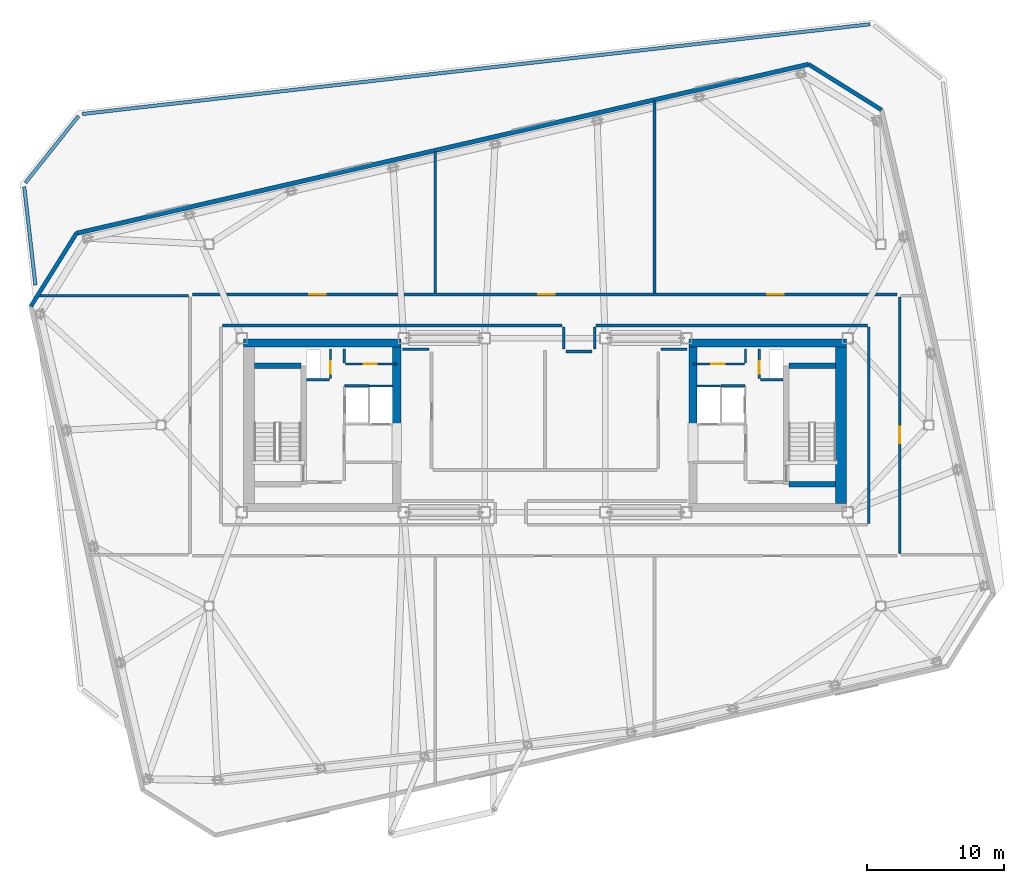
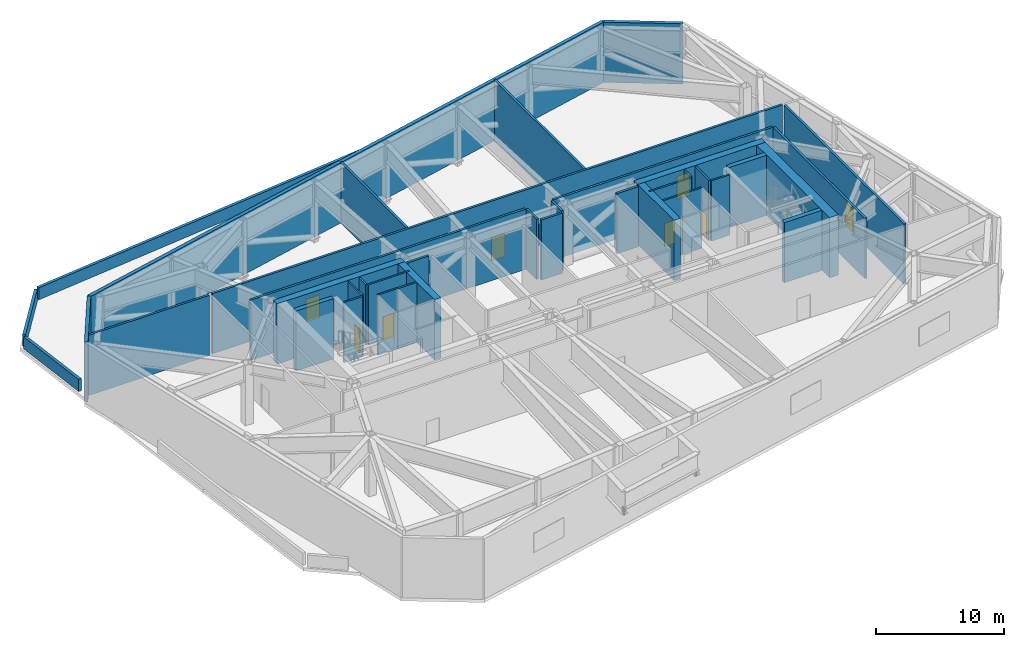
# One storey, part 8 of 15: 39 walls, 8 doors, 8 openings.
"""IFC4 building model written with IfcOpenShell, lengths in metres."""

from ifc_helpers import new_model, si_unit, direction, frame, frame_2d, origin, place, context, subcontext, project, spatial, rectangle, extrude, material, layer, layer_set, type_object, element, fill, save


model = new_model("IFC4")

# Units and contexts
model_context = context("Model", 3, precision=1e-05, world=origin(), true_north=direction((0.0, 1.0)))
body_context = subcontext(model_context, "Body", "Model", "MODEL_VIEW")
ifc_project = project(units=[si_unit("LENGTHUNIT", "METRE"), si_unit("AREAUNIT", "SQUARE_METRE"), si_unit("VOLUMEUNIT", "CUBIC_METRE"), si_unit("PLANEANGLEUNIT", "RADIAN"), si_unit("MASSUNIT", "GRAM", prefix="KILO")], contexts=[model_context])

# Site, building, storey
site_placement = place(None, origin())
site = spatial("IfcSite", under=ifc_project, at=site_placement, CompositionType="ELEMENT")
building_placement = place(site_placement, origin())
building = spatial("IfcBuilding", under=site, at=building_placement, Name="Tavrogorsk Clinical Tower", CompositionType="ELEMENT")
storey_placement = place(building_placement, frame((0.0, 0.0, 271.0)))
storey = spatial("IfcBuildingStorey", under=building, at=storey_placement, Name="L63", CompositionType="ELEMENT", Elevation=271.0)

# Wall, openings, doors
ifc_material_1 = material(Name="Concrete B60", Category="concrete")
ifc_layer_1 = layer(ifc_material_1, 0.199951171875)
ifc_layer_set_1 = layer_set([ifc_layer_1], Name="Concrete B60")
wall_type_1 = type_object("IfcWallType", Name="CoreFireWall_200", PredefinedType="SOLIDWALL", material=ifc_layer_set_1)
wall_1_placement = place(storey_placement, frame((-25.695068359375, 9.530029296875, 0.0), z_axis=(0.0, 0.0, 1.0), x_axis=(1.0, 0.0, 0.0)))
wall_1 = element("IfcWall", 1, at=wall_1_placement, inside=storey, type_object=wall_type_1, Name="L63 Refuge Corridor Fire Wall 02", PredefinedType="SOLIDWALL", context=body_context, shape_type="SweptSolid", body=[
    extrude(rectangle(XDim=51.39013671875, YDim=0.199951171875, at=frame_2d((25.695068359375, 0.0))), origin(), (0.0, 0.0, 1.0), 5.739990234375),
])
opening_1_placement = place(wall_1_placement, frame((25.199951171875, 0.0, 0.0)))
opening_1 = element("IfcOpeningElement", 2, at=opening_1_placement, cuts=wall_1, Name="Opening FD-01", PredefinedType="OPENING", context=body_context, shape_type="SweptSolid", body=[
    extrude(rectangle(XDim=1.199951171875, YDim=2.199951171875, at=frame_2d((0.60009765625, 1.10009765625))), frame((0.0, 0.10986328125, 0.0), z_axis=(0.0, -1.0, 0.0), x_axis=(1.0, 0.0, 0.0)), (0.0, 0.0, 1.0), 0.219970703125),
])
opening_2_placement = place(wall_1_placement, frame((8.494140625, 0.0, 0.0)))
opening_2 = element("IfcOpeningElement", 3, at=opening_2_placement, cuts=wall_1, Name="Opening FD-01", PredefinedType="OPENING", context=body_context, shape_type="SweptSolid", body=[
    extrude(rectangle(XDim=1.199951171875, YDim=2.199951171875, at=frame_2d((0.60009765625, 1.10009765625))), frame((0.0, 0.10986328125, 0.0), z_axis=(0.0, -1.0, 0.0), x_axis=(1.0, 0.0, 0.0)), (0.0, 0.0, 1.0), 0.219970703125),
])
opening_3_placement = place(wall_1_placement, frame((41.906005859375, 0.0, 0.0)))
opening_3 = element("IfcOpeningElement", 4, at=opening_3_placement, cuts=wall_1, Name="Opening FD-01", PredefinedType="OPENING", context=body_context, shape_type="SweptSolid", body=[
    extrude(rectangle(XDim=1.199951171875, YDim=2.199951171875, at=frame_2d((0.60009765625, 1.10009765625))), frame((0.0, 0.10986328125, 0.0), z_axis=(0.0, -1.0, 0.0), x_axis=(1.0, 0.0, 0.0)), (0.0, 0.0, 1.0), 0.219970703125),
])
ifc_material_2 = material(Name="Galvanised steel fire-rated door assembly", Category="steel")
door_type_1 = type_object("IfcDoorType", Name="FireDoor_FD01_1200", OperationType="NOTDEFINED", PredefinedType="DOOR", material=ifc_material_2)
door_1_placement = place(opening_1_placement, origin())
door_1 = element("IfcDoor", 5, at=door_1_placement, inside=storey, type_object=door_type_1, Name="L63 Assisted Bariatric Evacuation Refuge North Fire Door", OperationType="SINGLE_SWING_RIGHT", OverallHeight=2.199951171875, OverallWidth=1.199951171875, PredefinedType="DOOR", context=body_context, shape_type="SweptSolid", body=[
    extrude(rectangle(XDim=1.199951171875, YDim=2.199951171875, at=frame_2d((0.60009765625, 1.10009765625))), frame((0.0, 0.02490234375, 0.0), z_axis=(0.0, -1.0, 0.0), x_axis=(1.0, 0.0, 0.0)), (0.0, 0.0, 1.0), 0.050048828125),
])
fill(opening_1, door_1)
door_2_placement = place(opening_2_placement, origin())
door_2 = element("IfcDoor", 6, at=door_2_placement, inside=storey, type_object=door_type_1, Name="L63 HEPA Isolation AHU Plant West Fire Door", OperationType="SINGLE_SWING_LEFT", OverallHeight=2.199951171875, OverallWidth=1.199951171875, PredefinedType="DOOR", context=body_context, shape_type="SweptSolid", body=[
    extrude(rectangle(XDim=1.199951171875, YDim=2.199951171875, at=frame_2d((0.60009765625, 1.10009765625))), frame((0.0, 0.02490234375, 0.0), z_axis=(0.0, -1.0, 0.0), x_axis=(1.0, 0.0, 0.0)), (0.0, 0.0, 1.0), 0.050048828125),
])
fill(opening_2, door_2)
door_3_placement = place(opening_3_placement, origin())
door_3 = element("IfcDoor", 7, at=door_3_placement, inside=storey, type_object=door_type_1, Name="L63 HEPA Isolation AHU Plant East Fire Door", OperationType="SINGLE_SWING_RIGHT", OverallHeight=2.199951171875, OverallWidth=1.199951171875, PredefinedType="DOOR", context=body_context, shape_type="SweptSolid", body=[
    extrude(rectangle(XDim=1.199951171875, YDim=2.199951171875, at=frame_2d((0.60009765625, 1.10009765625))), frame((0.0, 0.02490234375, 0.0), z_axis=(0.0, -1.0, 0.0), x_axis=(1.0, 0.0, 0.0)), (0.0, 0.0, 1.0), 0.050048828125),
])
fill(opening_3, door_3)

# Wall, opening, door
wall_2_placement = place(storey_placement, frame((25.8798828125, 9.344970703125, 0.0), z_axis=(0.0, 0.0, 1.0), x_axis=(0.0, -1.0, 0.0)))
wall_2 = element("IfcWall", 8, at=wall_2_placement, inside=storey, type_object=wall_type_1, Name="L63 Refuge Corridor Fire Wall 03", PredefinedType="SOLIDWALL", context=body_context, shape_type="SweptSolid", body=[
    extrude(rectangle(XDim=18.68994140625, YDim=0.199951171875, at=frame_2d((9.344970703125, 0.0))), origin(), (0.0, 0.0, 1.0), 5.739990234375),
])
opening_4_placement = place(wall_2_placement, frame((9.449951171875, 0.0, 0.0)))
opening_4 = element("IfcOpeningElement", 9, at=opening_4_placement, cuts=wall_2, Name="Opening FD-01", PredefinedType="OPENING", context=body_context, shape_type="SweptSolid", body=[
    extrude(rectangle(XDim=1.199951171875, YDim=2.199951171875, at=frame_2d((0.60009765625, 1.10009765625))), frame((0.0, 0.10986328125, 0.0), z_axis=(0.0, -1.0, 0.0), x_axis=(1.0, 0.0, 0.0)), (0.0, 0.0, 1.0), 0.219970703125),
])
door_4_placement = place(opening_4_placement, origin())
door_4 = element("IfcDoor", 10, at=door_4_placement, inside=storey, type_object=door_type_1, Name="L63 Smoke Extract & Damper Plenum East Fire Door", OperationType="SINGLE_SWING_RIGHT", OverallHeight=2.199951171875, OverallWidth=1.199951171875, PredefinedType="DOOR", context=body_context, shape_type="SweptSolid", body=[
    extrude(rectangle(XDim=1.199951171875, YDim=2.199951171875, at=frame_2d((0.60009765625, 1.10009765625))), frame((0.0, 0.02490234375, 0.0), z_axis=(0.0, -1.0, 0.0), x_axis=(1.0, 0.0, 0.0)), (0.0, 0.0, 1.0), 0.050048828125),
])
fill(opening_4, door_4)

# Walls
for number, where, z_axis, x_axis, name in (
    (11, (-10.3798828125, 5.530029296875, 0.0), (0.0, 0.0, 1.0), (1.0, 0.0, 0.0), "L63 Refuge Corridor Fire Wall 07"),
    (12, (8.455078125, 5.530029296875, 0.0), (0.0, 0.0, 1.0), (1.0, 0.0, 0.0), "L63 Refuge Corridor Fire Wall 11"),
):
    element("IfcWall", number, at=place(storey_placement, frame(where, z_axis=z_axis, x_axis=x_axis)), inside=storey, type_object=wall_type_1, Name=name, PredefinedType="SOLIDWALL", context=body_context, shape_type="SweptSolid", body=[
        extrude(rectangle(XDim=1.9248046875, YDim=0.199951171875, at=frame_2d((0.96240234375, 0.0))), origin(), (0.0, 0.0, 1.0), 5.739990234375),
    ])
wall_3_placement = place(storey_placement, frame((23.6201171875, -7.1650390625, 0.0), z_axis=(0.0, 0.0, 1.0), x_axis=(0.0, 1.0, 0.0)))
element("IfcWall", 13, at=wall_3_placement, inside=storey, type_object=wall_type_1, Name="L63 Refuge Corridor Fire Wall 15", PredefinedType="SOLIDWALL", context=body_context, shape_type="SweptSolid", body=[
    extrude(rectangle(XDim=14.330078125, YDim=0.199951171875, at=frame_2d((7.1650390625, 0.0))), origin(), (0.0, 0.0, 1.0), 5.739990234375),
])
wall_4_placement = place(storey_placement, frame((23.514892578125, 7.27001953125, 0.0), z_axis=(0.0, 0.0, 1.0), x_axis=(-1.0, 0.0, 0.0)))
element("IfcWall", 14, at=wall_4_placement, inside=storey, type_object=wall_type_1, Name="L63 Refuge Corridor Fire Wall 16", PredefinedType="SOLIDWALL", context=body_context, shape_type="SweptSolid", body=[
    extrude(rectangle(XDim=19.77978515625, YDim=0.199951171875, at=frame_2d((9.889892578125, 0.0))), origin(), (0.0, 0.0, 1.0), 5.739990234375),
])
wall_5_placement = place(storey_placement, frame((3.6298828125, 7.1650390625, 0.0), z_axis=(0.0, 0.0, 1.0), x_axis=(0.0, -1.0, 0.0)))
element("IfcWall", 15, at=wall_5_placement, inside=storey, type_object=wall_type_1, Name="L63 Refuge Corridor Fire Wall 17", PredefinedType="SOLIDWALL", context=body_context, shape_type="SweptSolid", body=[
    extrude(rectangle(XDim=1.610107421875, YDim=0.199951171875, at=frame_2d((0.80517578125, 0.0))), origin(), (0.0, 0.0, 1.0), 5.739990234375),
])
wall_6_placement = place(storey_placement, frame((3.445068359375, 5.3701171875, 0.0), z_axis=(0.0, 0.0, 1.0), x_axis=(-1.0, 0.0, 0.0)))
element("IfcWall", 16, at=wall_6_placement, inside=storey, type_object=wall_type_1, Name="L63 Refuge Corridor Fire Wall 18", PredefinedType="SOLIDWALL", context=body_context, shape_type="SweptSolid", body=[
    extrude(rectangle(XDim=1.89013671875, YDim=0.199951171875, at=frame_2d((0.945068359375, 0.0))), origin(), (0.0, 0.0, 1.0), 5.739990234375),
])
wall_7_placement = place(storey_placement, frame((1.3701171875, 5.554931640625, 0.0), z_axis=(0.0, 0.0, 1.0), x_axis=(0.0, 1.0, 0.0)))
element("IfcWall", 17, at=wall_7_placement, inside=storey, type_object=wall_type_1, Name="L63 Refuge Corridor Fire Wall 19", PredefinedType="SOLIDWALL", context=body_context, shape_type="SweptSolid", body=[
    extrude(rectangle(XDim=1.610107421875, YDim=0.199951171875, at=frame_2d((0.80517578125, 0.0))), origin(), (0.0, 0.0, 1.0), 5.739990234375),
])
wall_8_placement = place(storey_placement, frame((1.264892578125, 7.27001953125, 0.0), z_axis=(0.0, 0.0, 1.0), x_axis=(-1.0, 0.0, 0.0)))
element("IfcWall", 18, at=wall_8_placement, inside=storey, type_object=wall_type_1, Name="L63 Refuge Corridor Fire Wall 20", PredefinedType="SOLIDWALL", context=body_context, shape_type="SweptSolid", body=[
    extrude(rectangle(XDim=24.77978515625, YDim=0.199951171875, at=frame_2d((12.389892578125, 0.0))), origin(), (0.0, 0.0, 1.0), 5.739990234375),
])
wall_9_placement = place(storey_placement, frame((-36.884521484375, 9.449951171875, 0.0), z_axis=(0.0, 0.0, 1.0), x_axis=(1.0, 0.0, 0.0)))
element("IfcWall", 19, at=wall_9_placement, inside=storey, type_object=wall_type_1, Name="L63 Refuge & Plant Fire Wall 3", PredefinedType="SOLIDWALL", context=body_context, shape_type="SweptSolid", body=[
    extrude(rectangle(XDim=10.8994140625, YDim=0.199951171875, at=frame_2d((5.44970703125, 0.0))), origin(), (0.0, 0.0, 1.0), 5.739990234375),
])
wall_10_placement = place(storey_placement, frame((-8.0, 9.635009765625, 0.0), z_axis=(0.0, 0.0, 1.0), x_axis=(0.0, 1.0, 0.0)))
element("IfcWall", 20, at=wall_10_placement, inside=storey, type_object=wall_type_1, Name="L63 Refuge & Plant Fire Wall 7", PredefinedType="SOLIDWALL", context=body_context, shape_type="SweptSolid", body=[
    extrude(rectangle(XDim=10.343505859375, YDim=0.199951171875, at=frame_2d((5.171875, 0.0))), origin(), (0.0, 0.0, 1.0), 5.739990234375),
])
wall_11_placement = place(storey_placement, frame((8.0, 9.635009765625, 0.0), z_axis=(0.0, 0.0, 1.0), x_axis=(0.0, 1.0, 0.0)))
element("IfcWall", 21, at=wall_11_placement, inside=storey, type_object=wall_type_1, Name="L63 Refuge & Plant Fire Wall 8", PredefinedType="SOLIDWALL", context=body_context, shape_type="SweptSolid", body=[
    extrude(rectangle(XDim=14.037353515625, YDim=0.199951171875, at=frame_2d((7.0185546875, 0.0))), origin(), (0.0, 0.0, 1.0), 5.739990234375),
])

# Wall, opening, door
ifc_material_3 = material(Name="Lightweight concrete blockwork B15", Category="masonry")
ifc_layer_2 = layer(ifc_material_3, 0.159912109375)
ifc_layer_set_2 = layer_set([ifc_layer_2], Name="Lightweight concrete blockwork B15")
wall_type_2 = type_object("IfcWallType", Name="PartitionWall_160", PredefinedType="PARTITIONING", material=ifc_layer_set_2)
wall_12_placement = place(storey_placement, frame((-14.554931640625, 4.4599609375, 0.0), z_axis=(0.0, 0.0, 1.0), x_axis=(1.0, 0.0, 0.0)))
wall_12 = element("IfcWall", 22, at=wall_12_placement, inside=storey, type_object=wall_type_2, Name="L63 Core West Pneumatic Dispatch South Wall", PredefinedType="PARTITIONING", context=body_context, shape_type="SweptSolid", body=[
    extrude(rectangle(XDim=3.7548828125, YDim=0.159912109375, at=frame_2d((1.87744140625, 0.0))), origin(), (0.0, 0.0, 1.0), 5.739990234375),
])
opening_5_placement = place(wall_12_placement, frame((1.35009765625, 0.0, 0.0)))
opening_5 = element("IfcOpeningElement", 23, at=opening_5_placement, cuts=wall_12, Name="Opening ID-02", PredefinedType="OPENING", context=body_context, shape_type="SweptSolid", body=[
    extrude(rectangle(XDim=0.949951171875, YDim=2.199951171875, at=frame_2d((0.47509765625, 1.10009765625))), frame((0.0, 0.08984375, 0.0), z_axis=(0.0, -1.0, 0.0), x_axis=(1.0, 0.0, 0.0)), (0.0, 0.0, 1.0), 0.179931640625),
])
ifc_material_4 = material(Name="Laminated timber leaf on aluminium frame", Category="wood")
door_type_2 = type_object("IfcDoorType", Name="InteriorDoor_ID02_950", OperationType="NOTDEFINED", PredefinedType="DOOR", material=ifc_material_4)
door_5_placement = place(opening_5_placement, origin())
door_5 = element("IfcDoor", 24, at=door_5_placement, inside=storey, type_object=door_type_2, Name="L63 Core West Pneumatic Dispatch Door", OperationType="SINGLE_SWING_LEFT", OverallHeight=2.199951171875, OverallWidth=0.949951171875, PredefinedType="DOOR", context=body_context, shape_type="SweptSolid", body=[
    extrude(rectangle(XDim=0.949951171875, YDim=2.199951171875, at=frame_2d((0.47509765625, 1.10009765625))), frame((0.0, 0.02490234375, 0.0), z_axis=(0.0, -1.0, 0.0), x_axis=(1.0, 0.0, 0.0)), (0.0, 0.0, 1.0), 0.050048828125),
])
fill(opening_5, door_5)

# Wall
wall_13_placement = place(storey_placement, frame((-14.639892578125, 4.544921875, 0.0), z_axis=(0.0, 0.0, 1.0), x_axis=(0.0, 1.0, 0.0)))
element("IfcWall", 25, at=wall_13_placement, inside=storey, type_object=wall_type_2, Name="L63 Core West Pneumatic Dispatch East Wall", PredefinedType="PARTITIONING", context=body_context, shape_type="SweptSolid", body=[
    extrude(rectangle(XDim=1.01513671875, YDim=0.159912109375, at=frame_2d((0.507568359375, 0.0))), origin(), (0.0, 0.0, 1.0), 5.739990234375),
])

# Wall, opening, door
wall_14_placement = place(storey_placement, frame((10.800048828125, 4.4599609375, 0.0), z_axis=(0.0, 0.0, 1.0), x_axis=(1.0, 0.0, 0.0)))
wall_14 = element("IfcWall", 26, at=wall_14_placement, inside=storey, type_object=wall_type_2, Name="L63 Core East Pneumatic Dispatch South Wall", PredefinedType="PARTITIONING", context=body_context, shape_type="SweptSolid", body=[
    extrude(rectangle(XDim=3.7548828125, YDim=0.159912109375, at=frame_2d((1.87744140625, 0.0))), origin(), (0.0, 0.0, 1.0), 5.739990234375),
])
opening_6_placement = place(wall_14_placement, frame((1.35009765625, 0.0, 0.0)))
opening_6 = element("IfcOpeningElement", 27, at=opening_6_placement, cuts=wall_14, Name="Opening ID-02", PredefinedType="OPENING", context=body_context, shape_type="SweptSolid", body=[
    extrude(rectangle(XDim=0.949951171875, YDim=2.199951171875, at=frame_2d((0.47509765625, 1.10009765625))), frame((0.0, 0.08984375, 0.0), z_axis=(0.0, -1.0, 0.0), x_axis=(1.0, 0.0, 0.0)), (0.0, 0.0, 1.0), 0.179931640625),
])
door_6_placement = place(opening_6_placement, origin())
door_6 = element("IfcDoor", 28, at=door_6_placement, inside=storey, type_object=door_type_2, Name="L63 Core East Pneumatic Dispatch Door", OperationType="SINGLE_SWING_LEFT", OverallHeight=2.199951171875, OverallWidth=0.949951171875, PredefinedType="DOOR", context=body_context, shape_type="SweptSolid", body=[
    extrude(rectangle(XDim=0.949951171875, YDim=2.199951171875, at=frame_2d((0.47509765625, 1.10009765625))), frame((0.0, 0.02490234375, 0.0), z_axis=(0.0, -1.0, 0.0), x_axis=(1.0, 0.0, 0.0)), (0.0, 0.0, 1.0), 0.050048828125),
])
fill(opening_6, door_6)

# Walls
wall_15_placement = place(storey_placement, frame((14.639892578125, 4.544921875, 0.0), z_axis=(0.0, 0.0, 1.0), x_axis=(0.0, 1.0, 0.0)))
element("IfcWall", 29, at=wall_15_placement, inside=storey, type_object=wall_type_2, Name="L63 Core East Pneumatic Dispatch East Wall", PredefinedType="PARTITIONING", context=body_context, shape_type="SweptSolid", body=[
    extrude(rectangle(XDim=1.01513671875, YDim=0.159912109375, at=frame_2d((0.507568359375, 0.0))), origin(), (0.0, 0.0, 1.0), 5.739990234375),
])
ifc_material_5 = material(Name="Precast concrete B45 acoustic plenum wall", Category="concrete")
ifc_layer_3 = layer(ifc_material_5, 0.320068359375)
ifc_layer_set_3 = layer_set([ifc_layer_3], Name="Precast concrete B45 acoustic plenum wall")
wall_type_3 = type_object("IfcWallType", Name="PlantLouvreWall_320", PredefinedType="STANDARD", material=ifc_layer_set_3)
wall_16_placement = place(storey_placement, frame((19.227294921875, 26.325927734375, 0.0), z_axis=(0.0, 0.0, 1.0), x_axis=(-0.974369791702, -0.224952237195, 0.0)))
element("IfcWall", 30, at=wall_16_placement, inside=storey, type_object=wall_type_3, Name="L63 N Limestone Facade Wall 1", PredefinedType="STANDARD", context=body_context, shape_type="SweptSolid", body=[
    extrude(rectangle(XDim=54.800048828125, YDim=0.320068359375, at=frame_2d((27.39990234375, 0.0))), origin(), (0.0, 0.0, 1.0), 5.739990234375),
])
ifc_material_6 = material(Name="Concrete B60", Category="concrete")
ifc_layer_4 = layer(ifc_material_6, 0.25)
ifc_layer_set_4 = layer_set([ifc_layer_4], Name="Concrete B60")
wall_type_4 = type_object("IfcWallType", Name="RoofParapetWall_250", PredefinedType="PARAPET", material=ifc_layer_set_4)
wall_17_placement = place(storey_placement, frame((-37.160400390625, 10.215576171875, 0.0), z_axis=(0.0, 0.0, 1.0), x_axis=(-0.113181313445, 0.993574350659, 0.0)))
element("IfcWall", 31, at=wall_17_placement, inside=storey, type_object=wall_type_4, Name="L63 Setback Coping Parapet 3", PredefinedType="PARAPET", context=body_context, shape_type="SweptSolid", body=[
    extrude(rectangle(XDim=7.2197265625, YDim=0.25, at=frame_2d((3.60986328125, 0.0))), origin(), (0.0, 0.0, 1.0), 1.14990234375),
])
wall_18_placement = place(storey_placement, frame((-37.89599609375, 17.673095703125, 0.0), z_axis=(0.0, 0.0, 1.0), x_axis=(0.622501223271, 0.782618826138, 0.0)))
element("IfcWall", 32, at=wall_18_placement, inside=storey, type_object=wall_type_4, Name="L63 Setback Coping Parapet 4", PredefinedType="PARAPET", context=body_context, shape_type="SweptSolid", body=[
    extrude(rectangle(XDim=6.236328125, YDim=0.25, at=frame_2d((3.1181640625, 0.0))), origin(), (0.0, 0.0, 1.0), 1.14990234375),
])
wall_19_placement = place(storey_placement, frame((-33.75537109375, 22.697021484375, 0.0), z_axis=(0.0, 0.0, 1.0), x_axis=(0.993571831362, 0.113203427176, 0.0)))
element("IfcWall", 33, at=wall_19_placement, inside=storey, type_object=wall_type_4, Name="L63 Setback Coping Parapet 5", PredefinedType="PARAPET", context=body_context, shape_type="SweptSolid", body=[
    extrude(rectangle(XDim=57.847900390625, YDim=0.25, at=frame_2d((28.923828125, 0.0))), origin(), (0.0, 0.0, 1.0), 1.14990234375),
])
ifc_material_7 = material(Name="Lightweight concrete blockwork B25", Category="masonry")
ifc_layer_5 = layer(ifc_material_7, 0.159912109375)
ifc_layer_set_5 = layer_set([ifc_layer_5], Name="Lightweight concrete blockwork B25")
wall_type_5 = type_object("IfcWallType", Name="ShaftWall_160", PredefinedType="PARTITIONING", material=ifc_layer_set_5)
wall_20_placement = place(storey_placement, frame((-14.60009765625, 2.8798828125, 0.0), z_axis=(0.0, 0.0, 1.0), x_axis=(1.0, 0.0, 0.0)))
element("IfcWall", 34, at=wall_20_placement, inside=storey, type_object=wall_type_5, Name="L63 FFL-W Shaft North Wall", PredefinedType="PARTITIONING", context=body_context, shape_type="SweptSolid", body=[
    extrude(rectangle(XDim=1.760009765625, YDim=0.159912109375, at=frame_2d((0.8798828125, 0.0))), origin(), (0.0, 0.0, 1.0), 5.739990234375),
])
wall_21_placement = place(storey_placement, frame((-12.820068359375, 2.860107421875, 0.0), z_axis=(0.0, 0.0, 1.0), x_axis=(1.0, 0.0, 0.0)))
element("IfcWall", 35, at=wall_21_placement, inside=storey, type_object=wall_type_5, Name="L63 LP-H1 High-Zone Lift Rear Wall", PredefinedType="PARTITIONING", context=body_context, shape_type="SweptSolid", body=[
    extrude(rectangle(XDim=1.719970703125, YDim=0.159912109375, at=frame_2d((0.85986328125, 0.0))), origin(), (0.0, 0.0, 1.0), 5.739990234375),
])
wall_22_placement = place(storey_placement, frame((12.840087890625, 2.8798828125, 0.0), z_axis=(0.0, 0.0, 1.0), x_axis=(1.0, 0.0, 0.0)))
element("IfcWall", 36, at=wall_22_placement, inside=storey, type_object=wall_type_5, Name="L63 FFL-E Shaft North Wall", PredefinedType="PARTITIONING", context=body_context, shape_type="SweptSolid", body=[
    extrude(rectangle(XDim=1.760009765625, YDim=0.159912109375, at=frame_2d((0.8798828125, 0.0))), origin(), (0.0, 0.0, 1.0), 5.739990234375),
])
wall_23_placement = place(storey_placement, frame((11.10009765625, 2.860107421875, 0.0), z_axis=(0.0, 0.0, 1.0), x_axis=(1.0, 0.0, 0.0)))
element("IfcWall", 37, at=wall_23_placement, inside=storey, type_object=wall_type_5, Name="L63 LP-H2 High-Zone Lift Rear Wall", PredefinedType="PARTITIONING", context=body_context, shape_type="SweptSolid", body=[
    extrude(rectangle(XDim=1.719970703125, YDim=0.159912109375, at=frame_2d((0.85986328125, 0.0))), origin(), (0.0, 0.0, 1.0), 5.739990234375),
])

# Wall, opening, door
wall_24_placement = place(storey_placement, frame((-15.639892578125, 3.405029296875, 0.0), z_axis=(0.0, 0.0, 1.0), x_axis=(0.0, 1.0, 0.0)))
wall_24 = element("IfcWall", 38, at=wall_24_placement, inside=storey, type_object=wall_type_5, Name="L63 Core West Riser West Wall", PredefinedType="PARTITIONING", context=body_context, shape_type="SweptSolid", body=[
    extrude(rectangle(XDim=2.155029296875, YDim=0.159912109375, at=frame_2d((1.07763671875, 0.0))), origin(), (0.0, 0.0, 1.0), 5.739990234375),
])
opening_7_placement = place(wall_24_placement, frame((0.35009765625, 0.0, 0.0)))
opening_7 = element("IfcOpeningElement", 39, at=opening_7_placement, cuts=wall_24, Name="Opening FD-02", PredefinedType="OPENING", context=body_context, shape_type="SweptSolid", body=[
    extrude(rectangle(XDim=0.89990234375, YDim=2.199951171875, at=frame_2d((0.449951171875, 1.10009765625))), frame((0.0, 0.08984375, 0.0), z_axis=(0.0, -1.0, 0.0), x_axis=(1.0, 0.0, 0.0)), (0.0, 0.0, 1.0), 0.179931640625),
])
ifc_material_8 = material(Name="Galvanised steel fire-rated door assembly", Category="steel")
door_type_3 = type_object("IfcDoorType", Name="FireDoor_FD02_900", OperationType="NOTDEFINED", PredefinedType="DOOR", material=ifc_material_8)
door_7_placement = place(opening_7_placement, origin())
door_7 = element("IfcDoor", 40, at=door_7_placement, inside=storey, type_object=door_type_3, Name="L63 Core West Electrical Riser Access Door", OperationType="SINGLE_SWING_LEFT", OverallHeight=2.199951171875, OverallWidth=0.89990234375, PredefinedType="DOOR", context=body_context, shape_type="SweptSolid", body=[
    extrude(rectangle(XDim=0.89990234375, YDim=2.199951171875, at=frame_2d((0.449951171875, 1.10009765625))), frame((0.0, 0.02490234375, 0.0), z_axis=(0.0, -1.0, 0.0), x_axis=(1.0, 0.0, 0.0)), (0.0, 0.0, 1.0), 0.050048828125),
])
fill(opening_7, door_7)

# Wall
wall_25_placement = place(storey_placement, frame((-17.3798828125, 3.320068359375, 0.0), z_axis=(0.0, 0.0, 1.0), x_axis=(1.0, 0.0, 0.0)))
element("IfcWall", 41, at=wall_25_placement, inside=storey, type_object=wall_type_5, Name="L63 Core West Riser South Wall", PredefinedType="PARTITIONING", context=body_context, shape_type="SweptSolid", body=[
    extrude(rectangle(XDim=1.65478515625, YDim=0.159912109375, at=frame_2d((0.827392578125, 0.0))), origin(), (0.0, 0.0, 1.0), 5.739990234375),
])

# Wall, opening, door
wall_26_placement = place(storey_placement, frame((15.639892578125, 3.405029296875, 0.0), z_axis=(0.0, 0.0, 1.0), x_axis=(0.0, 1.0, 0.0)))
wall_26 = element("IfcWall", 42, at=wall_26_placement, inside=storey, type_object=wall_type_5, Name="L63 Core East Riser West Wall", PredefinedType="PARTITIONING", context=body_context, shape_type="SweptSolid", body=[
    extrude(rectangle(XDim=2.155029296875, YDim=0.159912109375, at=frame_2d((1.07763671875, 0.0))), origin(), (0.0, 0.0, 1.0), 5.739990234375),
])
opening_8_placement = place(wall_26_placement, frame((0.35009765625, 0.0, 0.0)))
opening_8 = element("IfcOpeningElement", 43, at=opening_8_placement, cuts=wall_26, Name="Opening FD-02", PredefinedType="OPENING", context=body_context, shape_type="SweptSolid", body=[
    extrude(rectangle(XDim=0.89990234375, YDim=2.199951171875, at=frame_2d((0.449951171875, 1.10009765625))), frame((0.0, 0.08984375, 0.0), z_axis=(0.0, -1.0, 0.0), x_axis=(1.0, 0.0, 0.0)), (0.0, 0.0, 1.0), 0.179931640625),
])
door_8_placement = place(opening_8_placement, origin())
door_8 = element("IfcDoor", 44, at=door_8_placement, inside=storey, type_object=door_type_3, Name="L63 Core East Electrical Riser Access Door", OperationType="SINGLE_SWING_LEFT", OverallHeight=2.199951171875, OverallWidth=0.89990234375, PredefinedType="DOOR", context=body_context, shape_type="SweptSolid", body=[
    extrude(rectangle(XDim=0.89990234375, YDim=2.199951171875, at=frame_2d((0.449951171875, 1.10009765625))), frame((0.0, 0.02490234375, 0.0), z_axis=(0.0, -1.0, 0.0), x_axis=(1.0, 0.0, 0.0)), (0.0, 0.0, 1.0), 0.050048828125),
])
fill(opening_8, door_8)

# Walls
wall_27_placement = place(storey_placement, frame((15.72509765625, 3.320068359375, 0.0), z_axis=(0.0, 0.0, 1.0), x_axis=(1.0, 0.0, 0.0)))
element("IfcWall", 45, at=wall_27_placement, inside=storey, type_object=wall_type_5, Name="L63 Core East Riser South Wall", PredefinedType="PARTITIONING", context=body_context, shape_type="SweptSolid", body=[
    extrude(rectangle(XDim=1.65478515625, YDim=0.159912109375, at=frame_2d((0.827392578125, 0.0))), origin(), (0.0, 0.0, 1.0), 5.739990234375),
])
ifc_material_9 = material(Name="Concrete B80", Category="concrete")
ifc_layer_6 = layer(ifc_material_9, 0.39990234375)
ifc_layer_set_6 = layer_set([ifc_layer_6], Name="Concrete B80")
wall_type_6 = type_object("IfcWallType", Name="ShearWall_400", PredefinedType="SHEAR", material=ifc_layer_set_6)
for number, where, z_axis, x_axis, name in (
    (46, (-21.199951171875, 4.324951171875, 0.0), (0.0, 0.0, 1.0), (1.0, 0.0, 0.0), "L63 Core West Stair Shaft North Shear Wall"),
    (47, (17.800048828125, -4.324951171875, 0.0), (0.0, 0.0, 1.0), (1.0, 0.0, 0.0), "L63 Core East Stair Shaft South Shear Wall"),
    (48, (17.800048828125, 4.324951171875, 0.0), (0.0, 0.0, 1.0), (1.0, 0.0, 0.0), "L63 Core East Stair Shaft North Shear Wall"),
):
    element("IfcWall", number, at=place(storey_placement, frame(where, z_axis=z_axis, x_axis=x_axis)), inside=storey, type_object=wall_type_6, Name=name, PredefinedType="SHEAR", context=body_context, shape_type="SweptSolid", body=[
        extrude(rectangle(XDim=3.39990234375, YDim=0.39990234375, at=frame_2d((1.699951171875, 0.0))), origin(), (0.0, 0.0, 1.0), 5.739990234375),
    ])
ifc_material_10 = material(Name="Concrete B80", Category="concrete")
ifc_layer_7 = layer(ifc_material_10, 0.60009765625)
ifc_layer_set_7 = layer_set([ifc_layer_7], Name="Concrete B80")
wall_type_7 = type_object("IfcWallType", Name="ShearWall_600", PredefinedType="SHEAR", material=ifc_layer_set_7)
wall_28_placement = place(storey_placement, frame((-22.0, 6.0, 0.0), z_axis=(0.0, 0.0, 1.0), x_axis=(1.0, 0.0, 0.0)))
element("IfcWall", 49, at=wall_28_placement, inside=storey, type_object=wall_type_7, Name="L63 Core West North Shear Wall", PredefinedType="SHEAR", context=body_context, shape_type="SweptSolid", body=[
    extrude(rectangle(XDim=11.5, YDim=0.60009765625, at=frame_2d((5.75, 0.0))), origin(), (0.0, 0.0, 1.0), 5.739990234375),
])
wall_29_placement = place(storey_placement, frame((-10.800048828125, 0.050048828125, 0.0), z_axis=(0.0, 0.0, 1.0), x_axis=(0.0, 1.0, 0.0)))
element("IfcWall", 50, at=wall_29_placement, inside=storey, type_object=wall_type_7, Name="L63 Core West Inner North Pier", PredefinedType="SHEAR", context=body_context, shape_type="SweptSolid", body=[
    extrude(rectangle(XDim=5.64990234375, YDim=0.60009765625, at=frame_2d((2.824951171875, 0.0))), origin(), (0.0, 0.0, 1.0), 5.739990234375),
])
wall_30_placement = place(storey_placement, frame((10.5, 6.0, 0.0), z_axis=(0.0, 0.0, 1.0), x_axis=(1.0, 0.0, 0.0)))
element("IfcWall", 51, at=wall_30_placement, inside=storey, type_object=wall_type_7, Name="L63 Core East North Shear Wall", PredefinedType="SHEAR", context=body_context, shape_type="SweptSolid", body=[
    extrude(rectangle(XDim=11.5, YDim=0.60009765625, at=frame_2d((5.75, 0.0))), origin(), (0.0, 0.0, 1.0), 5.739990234375),
])
wall_31_placement = place(storey_placement, frame((10.800048828125, 0.050048828125, 0.0), z_axis=(0.0, 0.0, 1.0), x_axis=(0.0, 1.0, 0.0)))
element("IfcWall", 52, at=wall_31_placement, inside=storey, type_object=wall_type_7, Name="L63 Core East Inner North Pier", PredefinedType="SHEAR", context=body_context, shape_type="SweptSolid", body=[
    extrude(rectangle(XDim=5.64990234375, YDim=0.60009765625, at=frame_2d((2.824951171875, 0.0))), origin(), (0.0, 0.0, 1.0), 5.739990234375),
])
ifc_material_11 = material(Name="Concrete B80", Category="concrete")
ifc_layer_8 = layer(ifc_material_11, 0.800048828125)
ifc_layer_set_8 = layer_set([ifc_layer_8], Name="Concrete B80")
wall_type_8 = type_object("IfcWallType", Name="ShearWall_800", PredefinedType="SHEAR", material=ifc_layer_set_8)
wall_32_placement = place(storey_placement, frame((21.60009765625, -5.699951171875, 0.0), z_axis=(0.0, 0.0, 1.0), x_axis=(0.0, 1.0, 0.0)))
element("IfcWall", 53, at=wall_32_placement, inside=storey, type_object=wall_type_8, Name="L63 Core East End Shear Wall", PredefinedType="SHEAR", context=body_context, shape_type="SweptSolid", body=[
    extrude(rectangle(XDim=11.39990234375, YDim=0.800048828125, at=frame_2d((5.699951171875, 0.0))), origin(), (0.0, 0.0, 1.0), 5.739990234375),
])
ifc_material_12 = material(Name="Precast concrete B45 with mineral wool", Category="concrete")
ifc_layer_9 = layer(ifc_material_12, 0.300048828125)
ifc_layer_set_9 = layer_set([ifc_layer_9], Name="Precast concrete B45 with mineral wool")
wall_type_9 = type_object("IfcWallType", Name="SpandrelBackWall_300", PredefinedType="STANDARD", material=ifc_layer_set_9)
for number, where, z_axis, x_axis, name in (
    (54, (24.55224609375, 22.99853515625, 0.0), (0.0, 0.0, 1.0), (-0.848048540581, 0.529918553004, 0.0), "L63 Chamfered Corner Wall 2"),
    (55, (-34.168212890625, 13.99853515625, 0.0), (0.0, 0.0, 1.0), (-0.529918553004, -0.848048540581, 0.0), "L63 Chamfered Corner Wall 3"),
):
    element("IfcWall", number, at=place(storey_placement, frame(where, z_axis=z_axis, x_axis=x_axis)), inside=storey, type_object=wall_type_9, Name=name, PredefinedType="STANDARD", context=body_context, shape_type="SweptSolid", body=[
        extrude(rectangle(XDim=6.279052734375, YDim=0.300048828125, at=frame_2d((3.1396484375, 0.0))), origin(), (0.0, 0.0, 1.0), 5.739990234375),
    ])

save(model, "model.ifc")
